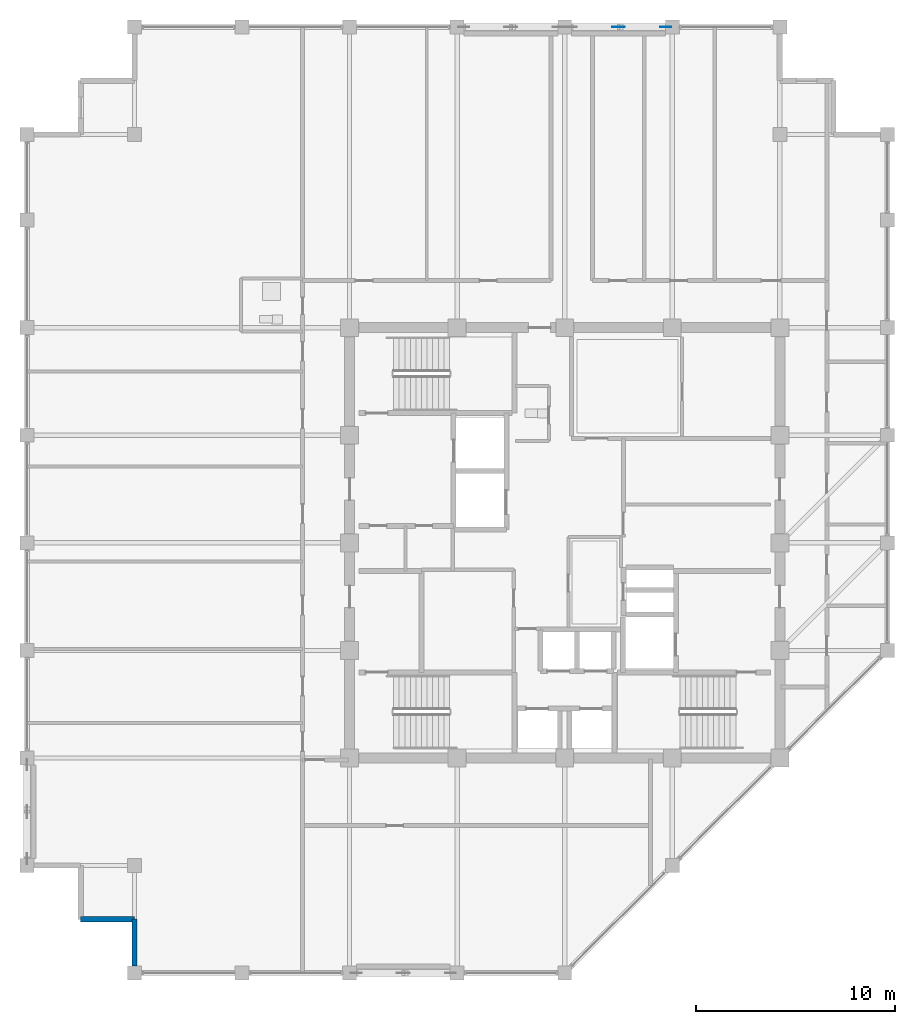
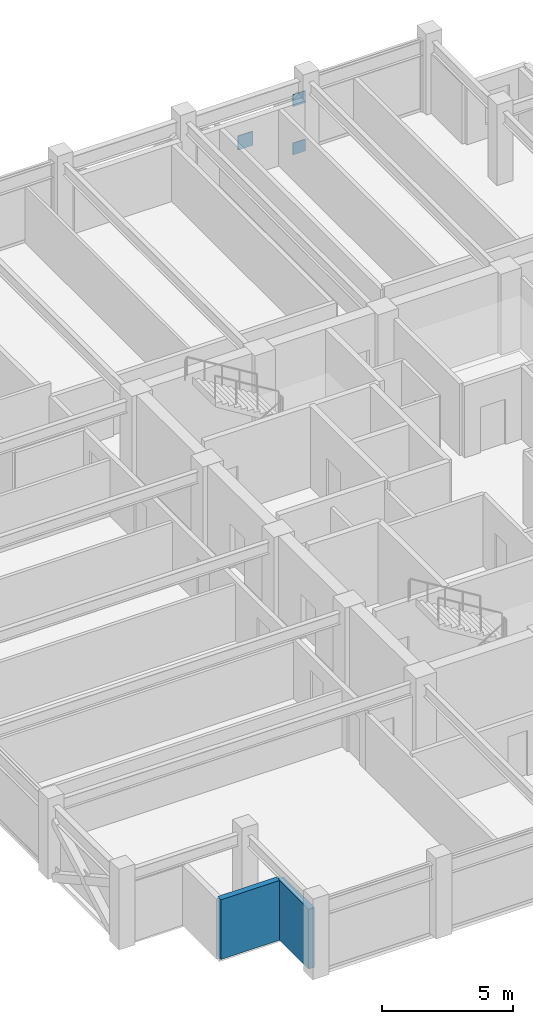
# One storey, part 25 of 31: 3 plates, 2 walls.
"""IFC4 building model written with IfcOpenShell, lengths in metres."""

from ifc_helpers import new_model, si_unit, direction, frame, frame_2d, origin, origin_2d, place, context, subcontext, project, spatial, rectangle, extrude, material, layer, layer_set, type_object, element, save


model = new_model("IFC4")

# Units and contexts
model_context = context("Model", 3, precision=1e-05, world=origin(), true_north=direction((0.0, 1.0)))
body_context = subcontext(model_context, "Body", "Model", "MODEL_VIEW")
ifc_project = project(units=[si_unit("LENGTHUNIT", "METRE"), si_unit("AREAUNIT", "SQUARE_METRE"), si_unit("VOLUMEUNIT", "CUBIC_METRE"), si_unit("PLANEANGLEUNIT", "RADIAN"), si_unit("MASSUNIT", "GRAM", prefix="KILO")], contexts=[model_context])

# Site, building, storey
site_placement = place(None, origin())
site = spatial("IfcSite", under=ifc_project, at=site_placement, CompositionType="ELEMENT")
building_placement = place(site_placement, origin())
building = spatial("IfcBuilding", under=site, at=building_placement, Name="Surkhivell Harbour Commons", CompositionType="ELEMENT")
storey_placement = place(building_placement, frame((0.0, 0.0, 333.75)))
storey = spatial("IfcBuildingStorey", under=building, at=storey_placement, Name="L87", CompositionType="ELEMENT", Elevation=333.75)

# Plates
ifc_material_1 = material(Name="Steel S460", Category="steel")
ifc_layer_1 = layer(ifc_material_1, 0.035888671875)
ifc_layer_set_1 = layer_set([ifc_layer_1], Name="Steel S460")
plate_type_1 = type_object("IfcPlateType", Name="PLT-GUS-550", PredefinedType="USERDEFINED", material=ifc_layer_set_1)
for number, where, z_axis, x_axis, name in (
    (1, (5.06494140625, 25.89990234375, -0.07470703125), (0.0, 0.0, 1.0), (1.0, 0.0, 0.0), "L87 Perimeter Mega-Brace MB- Corner Gusset N2-2"),
    (2, (5.06494140625, 25.89990234375, 2.17333984375), (0.0, 0.0, 1.0), (1.0, 0.0, 0.0), "L87 Perimeter Mega-Brace MB- Corner Gusset N2-4"),
):
    element("IfcPlate", number, at=place(storey_placement, frame(where, z_axis=z_axis, x_axis=x_axis)), inside=storey, type_object=plate_type_1, Name=name, ObjectType="GUSSET_PLATE", PredefinedType="USERDEFINED", context=body_context, shape_type="SweptSolid", body=[
        extrude(rectangle(XDim=0.550048828125, YDim=0.035888671875, at=origin_2d()), origin(), (0.0, 0.0, 1.0), 0.550048828125),
    ])
ifc_layer_2 = layer(ifc_material_1, 0.044921875)
ifc_layer_set_2 = layer_set([ifc_layer_2], Name="Steel S460")
plate_type_2 = type_object("IfcPlateType", Name="PLT-GUS-650", PredefinedType="USERDEFINED", material=ifc_layer_set_2)
plate_placement = place(storey_placement, frame((2.699951171875, 25.89990234375, 0.99951171875), z_axis=(0.0, 0.0, 1.0), x_axis=(1.0, 0.0, 0.0)))
element("IfcPlate", 3, at=plate_placement, inside=storey, type_object=plate_type_2, Name="L87 Perimeter Mega-Brace MB- Central Crossing Gusset N2", ObjectType="GUSSET_PLATE", PredefinedType="USERDEFINED", context=body_context, shape_type="SweptSolid", body=[
    extrude(rectangle(XDim=0.64990234375, YDim=0.044921875, at=origin_2d()), origin(), (0.0, 0.0, 1.0), 0.64990234375),
])

# Walls
ifc_material_2 = material(Name="Pale-metal insulated precast concrete C45/55", Category="concrete")
ifc_layer_3 = layer(ifc_material_2, 0.260009765625)
ifc_layer_set_3 = layer_set([ifc_layer_3], Name="Pale-metal insulated precast concrete C45/55")
wall_type = type_object("IfcWallType", Name="WAL-EXT-MTL260", PredefinedType="STANDARD", material=ifc_layer_set_3)
wall_1_placement = place(storey_placement, frame((-24.300048828125, -18.89990234375, 0.0), z_axis=(0.0, 0.0, 1.0), x_axis=(1.0, 0.0, 0.0)))
element("IfcWall", 4, at=wall_1_placement, inside=storey, type_object=wall_type, Name="L87 Serrated Corner Facade Wall 15", PredefinedType="STANDARD", context=body_context, shape_type="SweptSolid", body=[
    extrude(rectangle(XDim=2.699951171875, YDim=0.260009765625, at=frame_2d((1.35009765625, 0.0))), origin(), (0.0, 0.0, 1.0), 2.77294921875),
])
wall_2_placement = place(storey_placement, frame((-21.60009765625, -18.89990234375, 0.0), z_axis=(0.0, 0.0, 1.0), x_axis=(0.0, -1.0, 0.0)))
element("IfcWall", 5, at=wall_2_placement, inside=storey, type_object=wall_type, Name="L87 Serrated Corner Facade Wall 16", PredefinedType="STANDARD", context=body_context, shape_type="SweptSolid", body=[
    extrude(rectangle(XDim=2.35205078125, YDim=0.260009765625, at=frame_2d((1.176025390625, 0.0))), origin(), (0.0, 0.0, 1.0), 2.77294921875),
])

save(model, "model.ifc")
